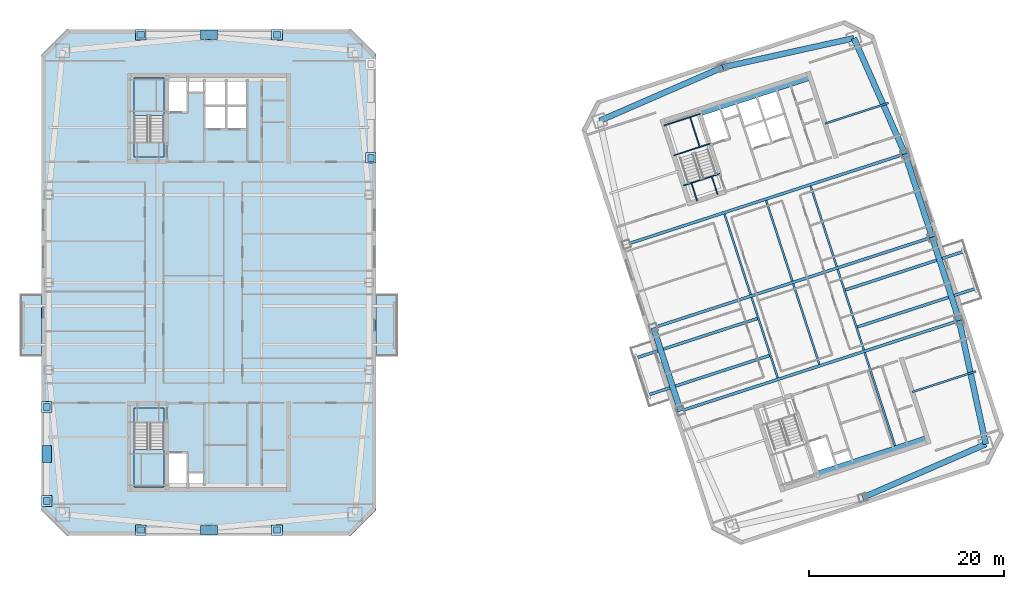
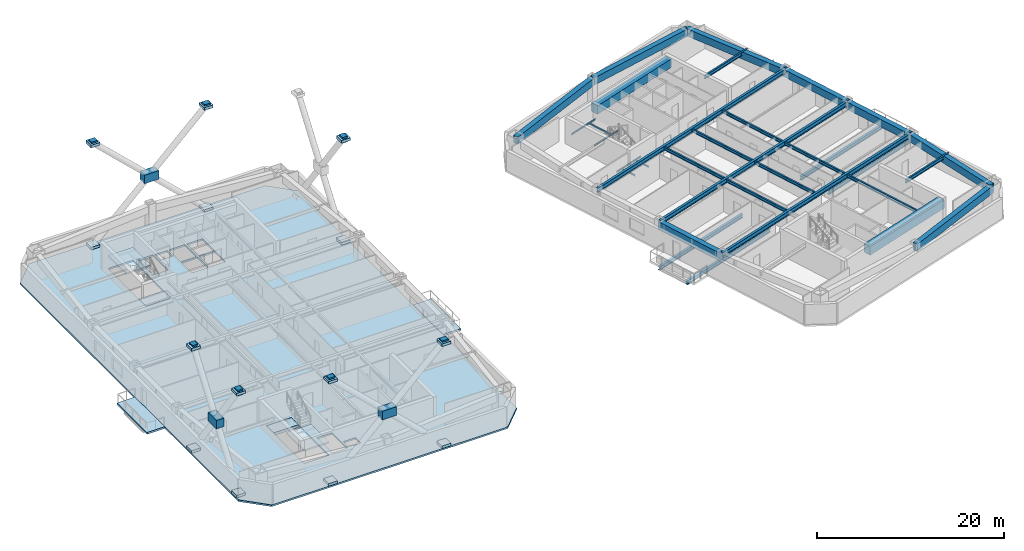
# One storey, part 4 of 16: 33 beams, 24 plates, 7 slabs, 2 elements without a shape of their own.
"""IFC4 building model written with IfcOpenShell, lengths in metres."""

from ifc_helpers import new_model, si_unit, direction, frame, origin, origin_2d, place, context, subcontext, project, spatial, polyline, rectangle, i_section, outline, extrude, material, layer, layer_set, material_profile, profile_set, type_object, element, aggregate, save


model = new_model("IFC4")

# Units and contexts
model_context = context("Model", 3, precision=1e-05, world=origin(), true_north=direction((0.0, 1.0)))
body_context = subcontext(model_context, "Body", "Model", "MODEL_VIEW")
ifc_project = project(units=[si_unit("LENGTHUNIT", "METRE"), si_unit("AREAUNIT", "SQUARE_METRE"), si_unit("VOLUMEUNIT", "CUBIC_METRE"), si_unit("PLANEANGLEUNIT", "RADIAN"), si_unit("MASSUNIT", "GRAM", prefix="KILO")], contexts=[model_context])

# Site, building, storey
site_placement = place(None, origin())
site = spatial("IfcSite", under=ifc_project, at=site_placement, CompositionType="ELEMENT")
building_placement = place(site_placement, origin())
building = spatial("IfcBuilding", under=site, at=building_placement, Name="Qiaolan Cultural Towers", CompositionType="ELEMENT")
storey_placement = place(building_placement, frame((0.0, 0.0, 188.60009765625)))
storey = spatial("IfcBuildingStorey", under=building, at=storey_placement, Name="L50", CompositionType="ELEMENT", Elevation=188.60009765625)

# Beams
ifc_material_1 = material(Name="Steel Q355B", Category="steel")
ifc_material_profile_1 = material_profile(ifc_material_1, i_section(OverallWidth=0.300048828125, OverallDepth=0.488037109375, WebThickness=0.010986328125, FlangeThickness=0.01806640625, at=origin_2d()), Name="HM488x300x11x18")
ifc_profile_set_1 = profile_set([ifc_material_profile_1], Name="Steel Q355B")
beam_type_1 = type_object("IfcBeamType", Name="BM-HM488x300x11x18", PredefinedType="BEAM", material=ifc_profile_set_1)
for number, where, z_axis, x_axis, name in (
    (1, (87.697998046875, 26.522705078125, -0.524169921875), (-0.951053553769, -0.309026111943, 0.0), (0.309026111943, -0.951053553769, 0.0), "L50 T2 Tree Balcony Back-Spanned Bracket Beam"),
    (2, (86.4619140625, 30.326904296875, -0.524169921875), (-0.951053553769, -0.309026111943, 0.0), (0.309026111943, -0.951053553769, 0.0), "L50 T2 Tree Balcony Back-Spanned Bracket Beam"),
):
    element("IfcBeam", number, at=place(storey_placement, frame(where, z_axis=z_axis, x_axis=x_axis)), inside=storey, type_object=beam_type_1, Name=name, PredefinedType="BEAM", context=body_context, shape_type="SweptSolid", body=[
        extrude(i_section(OverallWidth=0.300048828125, OverallDepth=0.488037109375, WebThickness=0.010986328125, FlangeThickness=0.01806640625, at=origin_2d()), origin(), (0.0, 0.0, 1.0), 13.349853515625),
    ])
for number, where, z_axis, x_axis, name in (
    (3, (96.542724609375, 29.396484375, -0.524169921875), (0.951056200688, 0.309017965713, 0.0), (-0.309017965713, 0.951056200688, 0.0), "L50 T2 Tree Balcony Back-Spanned Bracket Beam"),
    (4, (95.306640625, 33.20068359375, -0.524169921875), (0.951056200688, 0.309017965713, 0.0), (-0.309017965713, 0.951056200688, 0.0), "L50 T2 Tree Balcony Back-Spanned Bracket Beam"),
):
    element("IfcBeam", number, at=place(storey_placement, frame(where, z_axis=z_axis, x_axis=x_axis)), inside=storey, type_object=beam_type_1, Name=name, PredefinedType="BEAM", context=body_context, shape_type="SweptSolid", body=[
        extrude(i_section(OverallWidth=0.300048828125, OverallDepth=0.488037109375, WebThickness=0.010986328125, FlangeThickness=0.01806640625, at=origin_2d()), origin(), (0.0, 0.0, 1.0), 13.050048828125),
    ])
ifc_material_2 = material(Name="Steel Q355B", Category="steel")
ifc_material_profile_2 = material_profile(ifc_material_2, i_section(OverallWidth=0.300048828125, OverallDepth=0.587890625, WebThickness=0.011962890625, FlangeThickness=0.02001953125, at=origin_2d()), Name="HM588x300x12x20")
ifc_profile_set_2 = profile_set([ifc_material_profile_2], Name="Steel Q355B")
beam_type_2 = type_object("IfcBeamType", Name="BM-HM588x300x12x20", PredefinedType="BEAM", material=ifc_profile_set_2)
beam_1_placement = place(storey_placement, frame((78.4677734375, 20.789794921875, 2.89599609375), z_axis=(0.951055226628, 0.309020963535, 0.0), x_axis=(-0.309020963535, 0.951055226628, 0.0)))
element("IfcBeam", 5, at=beam_1_placement, inside=storey, type_object=beam_type_2, Name="L50 T2 Primary Transverse Girder V1", PredefinedType="BEAM", context=body_context, shape_type="SweptSolid", body=[
    extrude(i_section(OverallWidth=0.300048828125, OverallDepth=0.587890625, WebThickness=0.011962890625, FlangeThickness=0.02001953125, at=origin_2d()), origin(), (0.0, 0.0, 1.0), 30.099853515625),
])
beam_2_placement = place(storey_placement, frame((75.6865234375, 29.349365234375, 2.89599609375), z_axis=(0.951058384903, 0.309011243331, 0.0), x_axis=(-0.309011243331, 0.951058384903, 0.0)))
element("IfcBeam", 6, at=beam_2_placement, inside=storey, type_object=beam_type_2, Name="L50 T2 Primary Transverse Girder V2", PredefinedType="BEAM", context=body_context, shape_type="SweptSolid", body=[
    extrude(i_section(OverallWidth=0.300048828125, OverallDepth=0.587890625, WebThickness=0.011962890625, FlangeThickness=0.02001953125, at=origin_2d()), origin(), (0.0, 0.0, 1.0), 30.10009765625),
])
beam_3_placement = place(storey_placement, frame((72.905517578125, 37.90869140625, 2.89599609375), z_axis=(0.951055226628, 0.309020963535, 0.0), x_axis=(-0.309020963535, 0.951055226628, 0.0)))
element("IfcBeam", 7, at=beam_3_placement, inside=storey, type_object=beam_type_2, Name="L50 T2 Primary Transverse Girder V3", PredefinedType="BEAM", context=body_context, shape_type="SweptSolid", body=[
    extrude(i_section(OverallWidth=0.300048828125, OverallDepth=0.587890625, WebThickness=0.011962890625, FlangeThickness=0.02001953125, at=origin_2d()), origin(), (0.0, 0.0, 1.0), 30.099853515625),
])
ifc_material_3 = material(Name="Steel Q355B", Category="steel")
ifc_material_profile_3 = material_profile(ifc_material_3, i_section(OverallWidth=0.175048828125, OverallDepth=0.35009765625, WebThickness=0.007080078125, FlangeThickness=0.010986328125, at=origin_2d()), Name="HN350x175x7x11")
ifc_profile_set_3 = profile_set([ifc_material_profile_3], Name="Steel Q355B")
beam_type_3 = type_object("IfcBeamType", Name="BM-JST-HN350x175x7x11", PredefinedType="JOIST", material=ifc_profile_set_3)
beam_4_placement = place(storey_placement, frame((108.9541015625, 33.42919921875, -0.524169921875), z_axis=(-0.309022586479, 0.951054699292, 0.0), x_axis=(-0.951054699292, -0.309022586479, 0.0)))
element("IfcBeam", 8, at=beam_4_placement, inside=storey, type_object=beam_type_3, Name="L50 T2 Tree Balcony Outer Edge Beam", PredefinedType="JOIST", context=body_context, shape_type="SweptSolid", body=[
    extrude(i_section(OverallWidth=0.175048828125, OverallDepth=0.35009765625, WebThickness=0.007080078125, FlangeThickness=0.010986328125, at=origin_2d()), origin(), (0.0, 0.0, 1.0), 4.0),
])
ifc_material_4 = material(Name="Steel Q355B", Category="steel")
ifc_material_profile_4 = material_profile(ifc_material_4, i_section(OverallWidth=0.199951171875, OverallDepth=0.39990234375, WebThickness=0.008056640625, FlangeThickness=0.012939453125, at=origin_2d()), Name="HN400x200x8x13")
ifc_profile_set_4 = profile_set([ifc_material_profile_4], Name="Steel Q355B")
beam_type_4 = type_object("IfcBeamType", Name="BM-JST-HN400x200x8x13", PredefinedType="JOIST", material=ifc_profile_set_4)
for number, where, z_axis, x_axis, name in (
    (9, (88.455078125, 24.192626953125, 2.989990234375), (-0.309020714809, 0.951055307445, 0.0), (-0.951055307445, -0.309020714809, 0.0), "L50 T2 Secondary Floor Joist U1-2"),
    (10, (85.673828125, 32.752197265625, 2.989990234375), (-0.309020714809, 0.951055307445, 0.0), (-0.951055307445, -0.309020714809, 0.0), "L50 T2 Secondary Floor Joist U1-3"),
    (11, (92.73486328125, 25.583251953125, 2.989990234375), (-0.309020714809, 0.951055307445, 0.0), (-0.951055307445, -0.309020714809, 0.0), "L50 T2 Secondary Floor Joist U2-2"),
    (12, (89.95361328125, 34.142578125, 2.989990234375), (-0.309020714809, 0.951055307445, 0.0), (-0.951055307445, -0.309020714809, 0.0), "L50 T2 Secondary Floor Joist U2-3"),
):
    element("IfcBeam", number, at=place(storey_placement, frame(where, z_axis=z_axis, x_axis=x_axis)), inside=storey, type_object=beam_type_4, Name=name, PredefinedType="JOIST", context=body_context, shape_type="SweptSolid", body=[
        extrude(i_section(OverallWidth=0.199951171875, OverallDepth=0.39990234375, WebThickness=0.008056640625, FlangeThickness=0.012939453125, at=origin_2d()), origin(), (0.0, 0.0, 1.0), 8.699951171875),
    ])
beam_5_placement = place(storey_placement, frame((100.498291015625, 17.222900390625, 2.989990234375), z_axis=(-0.309025649293, 0.951053704098, 0.0), x_axis=(-0.951053704098, -0.309025649293, 0.0)))
element("IfcBeam", 13, at=beam_5_placement, inside=storey, type_object=beam_type_4, Name="L50 T2 Secondary Floor Joist U3-1", PredefinedType="JOIST", context=body_context, shape_type="SweptSolid", body=[
    extrude(i_section(OverallWidth=0.199951171875, OverallDepth=0.39990234375, WebThickness=0.008056640625, FlangeThickness=0.012939453125, at=origin_2d()), origin(), (0.0, 0.0, 1.0), 10.050048828125),
])
for number, where, z_axis, x_axis, name in (
    (14, (97.2998046875, 27.06640625, 2.989990234375), (-0.309020714809, 0.951055307445, 0.0), (-0.951055307445, -0.309020714809, 0.0), "L50 T2 Secondary Floor Joist U3-2"),
    (15, (94.518798828125, 35.6259765625, 2.989990234375), (-0.309020714809, 0.951055307445, 0.0), (-0.951055307445, -0.309020714809, 0.0), "L50 T2 Secondary Floor Joist U3-3"),
):
    element("IfcBeam", number, at=place(storey_placement, frame(where, z_axis=z_axis, x_axis=x_axis)), inside=storey, type_object=beam_type_4, Name=name, PredefinedType="JOIST", context=body_context, shape_type="SweptSolid", body=[
        extrude(i_section(OverallWidth=0.199951171875, OverallDepth=0.39990234375, WebThickness=0.008056640625, FlangeThickness=0.012939453125, at=origin_2d()), origin(), (0.0, 0.0, 1.0), 8.699951171875),
    ])
ifc_material_5 = material(Name="Steel Q355B", Category="steel")
ifc_material_profile_5 = material_profile(ifc_material_5, i_section(OverallWidth=0.199951171875, OverallDepth=0.449951171875, WebThickness=0.009033203125, FlangeThickness=0.013916015625, at=origin_2d()), Name="HN450x200x9x14")
ifc_profile_set_5 = profile_set([ifc_material_profile_5], Name="Steel Q355B")
beam_type_5 = type_object("IfcBeamType", Name="BM-LNT-HN450x200x9x14", PredefinedType="LINTEL", material=ifc_profile_set_5)
for number, where, z_axis, x_axis, name in (
    (16, (102.279296875, 22.74365234375, 2.96484375), (0.951061565824, 0.30900145309, 0.0), (-0.30900145309, 0.951061565824, 0.0), "L50 T2 Core Flank Tie Lintel ES"),
    (17, (93.31787109375, 50.32421875, 2.96484375), (0.951061565824, 0.30900145309, 0.0), (-0.30900145309, 0.951061565824, 0.0), "L50 T2 Core Flank Tie Lintel EN"),
):
    element("IfcBeam", number, at=place(storey_placement, frame(where, z_axis=z_axis, x_axis=x_axis)), inside=storey, type_object=beam_type_5, Name=name, PredefinedType="LINTEL", context=body_context, shape_type="SweptSolid", body=[
        extrude(i_section(OverallWidth=0.199951171875, OverallDepth=0.449951171875, WebThickness=0.009033203125, FlangeThickness=0.013916015625, at=origin_2d()), origin(), (0.0, 0.0, 1.0), 6.85009765625),
    ])
ifc_material_6 = material(Name="Concrete C50", Category="concrete")
ifc_material_profile_6 = material_profile(ifc_material_6, rectangle(XDim=0.89990234375, YDim=1.10009765625, at=origin_2d()), Name="RC900x1100")
ifc_profile_set_6 = profile_set([ifc_material_profile_6], Name="Concrete C50")
beam_type_6 = type_object("IfcBeamType", Name="BM-RC900x1100", PredefinedType="BEAM", material=ifc_profile_set_6)
for number, where, z_axis, x_axis, name in (
    (18, (92.572265625, 14.174560546875, 2.639892578125), (0.951056266386, 0.309017763514, 0.0), (-0.309017763514, 0.951056266386, 0.0), "L50 T2 Core Header Girder S"),
    (19, (80.427978515625, 51.551025390625, 2.639892578125), (0.951056266386, 0.309017763514, 0.0), (-0.309017763514, 0.951056266386, 0.0), "L50 T2 Core Header Girder N"),
):
    element("IfcBeam", number, at=place(storey_placement, frame(where, z_axis=z_axis, x_axis=x_axis)), inside=storey, type_object=beam_type_6, Name=name, PredefinedType="BEAM", context=body_context, shape_type="SweptSolid", body=[
        extrude(rectangle(XDim=0.89990234375, YDim=1.10009765625, at=origin_2d()), origin(), (0.0, 0.0, 1.0), 11.880126953125),
    ])
ifc_material_7 = material(Name="Concrete C50", Category="concrete")
ifc_material_profile_7 = material_profile(ifc_material_7, rectangle(XDim=0.60009765625, YDim=0.949951171875, at=origin_2d()), Name="RC600x950")
ifc_profile_set_7 = profile_set([ifc_material_profile_7], Name="Concrete C50")
beam_type_7 = type_object("IfcBeamType", Name="BM-SPD-RC600x950", PredefinedType="SPANDREL", material=ifc_profile_set_7)
beam_6_placement = place(storey_placement, frame((97.1845703125, 11.887939453125, 2.71484375), z_axis=(0.917117043091, 0.398618024268, 0.0), x_axis=(-0.398618024268, 0.917117043091, 0.0)))
element("IfcBeam", 20, at=beam_6_placement, inside=storey, type_object=beam_type_7, Name="L50 T2 Perimeter Spandrel Beam 2", PredefinedType="SPANDREL", context=body_context, shape_type="SweptSolid", body=[
    extrude(rectangle(XDim=0.60009765625, YDim=0.949951171875, at=origin_2d()), origin(), (0.0, 0.0, 1.0), 13.79345703125),
])
beam_7_placement = place(storey_placement, frame((109.834716796875, 17.38623046875, 2.71484375), z_axis=(-0.210832241173, 0.977522258612, 0.0), x_axis=(-0.977522258612, -0.210832241173, 0.0)))
element("IfcBeam", 21, at=beam_7_placement, inside=storey, type_object=beam_type_7, Name="L50 T2 Perimeter Spandrel Beam 3", PredefinedType="SPANDREL", context=body_context, shape_type="SweptSolid", body=[
    extrude(rectangle(XDim=0.60009765625, YDim=0.949951171875, at=origin_2d()), origin(), (0.0, 0.0, 1.0), 12.997314453125),
])
beam_8_placement = place(storey_placement, frame((107.094482421875, 30.09130859375, 2.71484375), z_axis=(-0.309008170129, 0.951059383421, 0.0), x_axis=(-0.951059383421, -0.309008170129, 0.0)))
element("IfcBeam", 22, at=beam_8_placement, inside=storey, type_object=beam_type_7, Name="L50 T2 Perimeter Spandrel Beam 4", PredefinedType="SPANDREL", context=body_context, shape_type="SweptSolid", body=[
    extrude(rectangle(XDim=0.60009765625, YDim=0.949951171875, at=origin_2d()), origin(), (0.0, 0.0, 1.0), 8.999755859375),
])
beam_9_placement = place(storey_placement, frame((104.3134765625, 38.650634765625, 2.71484375), z_axis=(-0.309024734286, 0.951054001411, 0.0), x_axis=(-0.951054001411, -0.309024734286, 0.0)))
element("IfcBeam", 23, at=beam_9_placement, inside=storey, type_object=beam_type_7, Name="L50 T2 Perimeter Spandrel Beam 5", PredefinedType="SPANDREL", context=body_context, shape_type="SweptSolid", body=[
    extrude(rectangle(XDim=0.60009765625, YDim=0.949951171875, at=origin_2d()), origin(), (0.0, 0.0, 1.0), 9.0),
])
beam_10_placement = place(storey_placement, frame((101.5322265625, 47.210205078125, 2.71484375), z_axis=(-0.404011070002, 0.914754095545, 0.0), x_axis=(-0.914754095545, -0.404011070002, 0.0)))
element("IfcBeam", 24, at=beam_10_placement, inside=storey, type_object=beam_type_7, Name="L50 T2 Perimeter Spandrel Beam 6", PredefinedType="SPANDREL", context=body_context, shape_type="SweptSolid", body=[
    extrude(rectangle(XDim=0.60009765625, YDim=0.949951171875, at=origin_2d()), origin(), (0.0, 0.0, 1.0), 12.9970703125),
])
beam_11_placement = place(storey_placement, frame((96.28125, 59.099365234375, 2.71484375), z_axis=(-0.976265293399, -0.216578108094, 0.0), x_axis=(0.216578108094, -0.976265293399, 0.0)))
element("IfcBeam", 25, at=beam_11_placement, inside=storey, type_object=beam_type_7, Name="L50 T2 Perimeter Spandrel Beam 7", PredefinedType="SPANDREL", context=body_context, shape_type="SweptSolid", body=[
    extrude(rectangle(XDim=0.60009765625, YDim=0.949951171875, at=origin_2d()), origin(), (0.0, 0.0, 1.0), 13.793212890625),
])
beam_12_placement = place(storey_placement, frame((82.8154296875, 56.112060546875, 2.71484375), z_axis=(-0.917117043091, -0.398618024268, 0.0), x_axis=(0.398618024268, -0.917117043091, 0.0)))
element("IfcBeam", 26, at=beam_12_placement, inside=storey, type_object=beam_type_7, Name="L50 T2 Perimeter Spandrel Beam 8", PredefinedType="SPANDREL", context=body_context, shape_type="SweptSolid", body=[
    extrude(rectangle(XDim=0.60009765625, YDim=0.949951171875, at=origin_2d()), origin(), (0.0, 0.0, 1.0), 13.79345703125),
])
beam_13_placement = place(storey_placement, frame((75.6865234375, 29.349365234375, 2.71484375), z_axis=(0.309024734286, -0.951054001411, 0.0), x_axis=(0.951054001411, 0.309024734286, 0.0)))
element("IfcBeam", 27, at=beam_13_placement, inside=storey, type_object=beam_type_7, Name="L50 T2 Perimeter Spandrel Beam 11", PredefinedType="SPANDREL", context=body_context, shape_type="SweptSolid", body=[
    extrude(rectangle(XDim=0.60009765625, YDim=0.949951171875, at=origin_2d()), origin(), (0.0, 0.0, 1.0), 9.0),
])
ifc_material_8 = material(Name="Steel Q355B", Category="steel")
ifc_material_profile_8 = material_profile(ifc_material_8, i_section(OverallWidth=0.10009765625, OverallDepth=0.199951171875, WebThickness=0.005615234375, FlangeThickness=0.008056640625, at=origin_2d()), Name="HN200x100x5.5x8")
ifc_profile_set_8 = profile_set([ifc_material_profile_8], Name="Steel Q355B")
beam_type_8 = type_object("IfcBeamType", Name="BM-STTRIM-200", PredefinedType="BEAM", material=ifc_profile_set_8)
beam_14_placement = place(storey_placement, frame((78.773193359375, 43.958251953125, -0.460205078125), z_axis=(0.951072048947, 0.3089691857, 0.0), x_axis=(-0.3089691857, 0.951072048947, 0.0)))
element("IfcBeam", 28, at=beam_14_placement, inside=storey, type_object=beam_type_8, Name="L50 ST-E2 Floor Landing Header Beam", PredefinedType="BEAM", context=body_context, shape_type="SweptSolid", body=[
    extrude(i_section(OverallWidth=0.10009765625, OverallDepth=0.199951171875, WebThickness=0.005615234375, FlangeThickness=0.008056640625, at=origin_2d()), origin(), (0.0, 0.0, 1.0), 3.920166015625),
])
for number, where, z_axis, x_axis, name in (
    (29, (80.18115234375, 42.375732421875, -0.460205078125), (-0.308969394428, 0.951071981138, 0.0), (-0.951071981138, -0.308969394428, 0.0), "L50 ST-E2 Floor Landing Stringer 1"),
    (30, (82.2734375, 43.0556640625, -0.460205078125), (-0.308969394428, 0.951071981138, 0.0), (-0.951071981138, -0.308969394428, 0.0), "L50 ST-E2 Floor Landing Stringer 2"),
):
    element("IfcBeam", number, at=place(storey_placement, frame(where, z_axis=z_axis, x_axis=x_axis)), inside=storey, type_object=beam_type_8, Name=name, PredefinedType="BEAM", context=body_context, shape_type="SweptSolid", body=[
        extrude(i_section(OverallWidth=0.10009765625, OverallDepth=0.199951171875, WebThickness=0.005615234375, FlangeThickness=0.008056640625, at=origin_2d()), origin(), (0.0, 0.0, 1.0), 1.93994140625),
    ])
for number, where, z_axis, x_axis, name in (
    (31, (77.769287109375, 47.0478515625, 1.4248046875), (0.951053746643, 0.309025518358, 0.0), (-0.309025518358, 0.951053746643, 0.0), "L50 ST-E2 Stair Landing Support Beam 1-1"),
    (32, (76.770751953125, 50.12109375, 1.4248046875), (0.951072048947, 0.3089691857, 0.0), (-0.3089691857, 0.951072048947, 0.0), "L50 ST-E2 Stair Landing Support Beam 1-2"),
):
    element("IfcBeam", number, at=place(storey_placement, frame(where, z_axis=z_axis, x_axis=x_axis)), inside=storey, type_object=beam_type_8, Name=name, PredefinedType="BEAM", context=body_context, shape_type="SweptSolid", body=[
        extrude(i_section(OverallWidth=0.10009765625, OverallDepth=0.199951171875, WebThickness=0.005615234375, FlangeThickness=0.008056640625, at=origin_2d()), origin(), (0.0, 0.0, 1.0), 3.920166015625),
    ])
beam_15_placement = place(storey_placement, frame((80.44189453125, 47.916259765625, 1.4248046875), z_axis=(-0.309033108495, 0.951051280349, 0.0), x_axis=(-0.951051280349, -0.309033108495, 0.0)))
element("IfcBeam", 33, at=beam_15_placement, inside=storey, type_object=beam_type_8, Name="L50 ST-E2 Stair Landing Trimmer 1", PredefinedType="BEAM", context=body_context, shape_type="SweptSolid", body=[
    extrude(i_section(OverallWidth=0.10009765625, OverallDepth=0.199951171875, WebThickness=0.005615234375, FlangeThickness=0.008056640625, at=origin_2d()), origin(), (0.0, 0.0, 1.0), 3.231201171875),
])

# Plates
ifc_material_9 = material(Name="Steel Q355B", Category="steel")
ifc_layer_1 = layer(ifc_material_9, 0.035888671875)
ifc_layer_set_1 = layer_set([ifc_layer_1], Name="Steel Q355B")
plate_type_1 = type_object("IfcPlateType", Name="PL-CONN-36", PredefinedType="USERDEFINED", material=ifc_layer_set_1)
for number, where, z_axis, x_axis, name in (
    (34, (13.35009765625, 21.199951171875, 13.1298828125), (0.0, 0.0, 1.0), (0.0, 1.0, 0.0), "L50 Brace End Connection Gusset Plate GP-02-0340"),
    (35, (13.35009765625, 11.550048828125, 13.1298828125), (0.0, 0.0, 1.0), (0.0, 1.0, 0.0), "L50 Brace End Connection Gusset Plate GP-02-0341"),
    (36, (46.64990234375, 46.800048828125, 13.1298828125), (0.0, 0.0, 1.0), (0.0, 1.0, 0.0), "L50 Brace End Connection Gusset Plate GP-02-0343"),
    (37, (37.0, 8.550048828125, 13.1298828125), (0.0, 0.0, 1.0), (1.0, 0.0, 0.0), "L50 Brace End Connection Gusset Plate GP-02-0344"),
    (38, (23.0, 8.550048828125, 13.1298828125), (0.0, 0.0, 1.0), (1.0, 0.0, 0.0), "L50 Brace End Connection Gusset Plate GP-02-0345"),
    (39, (37.0, 59.449951171875, 13.1298828125), (0.0, 0.0, 1.0), (1.0, 0.0, 0.0), "L50 Brace End Connection Gusset Plate GP-02-0346"),
    (40, (23.0, 59.449951171875, 13.1298828125), (0.0, 0.0, 1.0), (1.0, 0.0, 0.0), "L50 Brace End Connection Gusset Plate GP-02-0347"),
):
    element("IfcPlate", number, at=place(storey_placement, frame(where, z_axis=z_axis, x_axis=x_axis)), inside=storey, type_object=plate_type_1, Name=name, ObjectType="GUSSET_PLATE", PredefinedType="USERDEFINED", context=body_context, shape_type="SweptSolid", body=[
        extrude(rectangle(XDim=0.739990234375, YDim=0.6201171875, at=origin_2d()), origin(), (0.0, 0.0, 1.0), 0.739990234375),
    ])
ifc_material_10 = material(Name="Steel Q355B", Category="steel")
ifc_layer_2 = layer(ifc_material_10, 0.030029296875)
ifc_layer_set_2 = layer_set([ifc_layer_2], Name="Steel Q355B")
plate_type_2 = type_object("IfcPlateType", Name="PL-ENDCAP-30", PredefinedType="USERDEFINED", material=ifc_layer_set_2)
for number, where, z_axis, x_axis, name in (
    (41, (13.35009765625, 11.550048828125, -0.025146484375), (0.0, 0.0, 1.0), (0.0, 1.0, 0.0), "Hollow Brace End Seal Cap Plate CP-01"),
    (42, (13.35009765625, 21.199951171875, -0.025146484375), (0.0, 0.0, 1.0), (0.0, 1.0, 0.0), "Hollow Brace End Seal Cap Plate CP-01"),
    (43, (13.35009765625, 11.550048828125, 13.324951171875), (0.0, 0.0, 1.0), (0.0, 1.0, 0.0), "Hollow Brace End Seal Cap Plate CP-01"),
    (44, (13.35009765625, 21.199951171875, 13.324951171875), (0.0, 0.0, 1.0), (0.0, 1.0, 0.0), "Hollow Brace End Seal Cap Plate CP-01"),
    (45, (46.64990234375, 46.800048828125, -0.025146484375), (0.0, 0.0, 1.0), (0.0, 1.0, 0.0), "Hollow Brace End Seal Cap Plate CP-01"),
    (46, (46.64990234375, 46.800048828125, 13.324951171875), (0.0, 0.0, 1.0), (0.0, 1.0, 0.0), "Hollow Brace End Seal Cap Plate CP-01"),
    (47, (23.0, 8.550048828125, -0.025146484375), (0.0, 0.0, 1.0), (1.0, 0.0, 0.0), "Hollow Brace End Seal Cap Plate CP-01"),
    (48, (37.0, 8.550048828125, -0.025146484375), (0.0, 0.0, 1.0), (1.0, 0.0, 0.0), "Hollow Brace End Seal Cap Plate CP-01"),
    (49, (23.0, 8.550048828125, 13.324951171875), (0.0, 0.0, 1.0), (1.0, 0.0, 0.0), "Hollow Brace End Seal Cap Plate CP-01"),
    (50, (37.0, 8.550048828125, 13.324951171875), (0.0, 0.0, 1.0), (1.0, 0.0, 0.0), "Hollow Brace End Seal Cap Plate CP-01"),
    (51, (23.0, 59.449951171875, -0.025146484375), (0.0, 0.0, 1.0), (1.0, 0.0, 0.0), "Hollow Brace End Seal Cap Plate CP-01"),
    (52, (37.0, 59.449951171875, -0.025146484375), (0.0, 0.0, 1.0), (1.0, 0.0, 0.0), "Hollow Brace End Seal Cap Plate CP-01"),
    (53, (23.0, 59.449951171875, 13.324951171875), (0.0, 0.0, 1.0), (1.0, 0.0, 0.0), "Hollow Brace End Seal Cap Plate CP-01"),
    (54, (37.0, 59.449951171875, 13.324951171875), (0.0, 0.0, 1.0), (1.0, 0.0, 0.0), "Hollow Brace End Seal Cap Plate CP-01"),
):
    element("IfcPlate", number, at=place(storey_placement, frame(where, z_axis=z_axis, x_axis=x_axis)), inside=storey, type_object=plate_type_2, Name=name, ObjectType="BASE_PLATE", PredefinedType="USERDEFINED", context=body_context, shape_type="SweptSolid", body=[
        extrude(rectangle(XDim=1.10009765625, YDim=1.10009765625, at=origin_2d()), origin(), (0.0, 0.0, 1.0), 0.35009765625),
    ])
ifc_material_11 = material(Name="Steel Q390GJB", Category="steel")
ifc_layer_3 = layer(ifc_material_11, 0.0419921875)
ifc_layer_set_3 = layer_set([ifc_layer_3], Name="Steel Q390GJB")
plate_type_3 = type_object("IfcPlateType", Name="PL-NODE-ND01", PredefinedType="USERDEFINED", material=ifc_layer_set_3)
plate_1_placement = place(storey_placement, frame((30.0, 59.449951171875, 6.27490234375), z_axis=(0.0, 0.0, 1.0), x_axis=(1.0, 0.0, 0.0)))
element("IfcPlate", 55, at=plate_1_placement, inside=storey, type_object=plate_type_3, Name="Perimeter Frame Gusset Node Assembly ND-01", ObjectType="GUSSET_PLATE", PredefinedType="USERDEFINED", context=body_context, shape_type="SweptSolid", body=[
    extrude(rectangle(XDim=1.760009765625, YDim=0.9599609375, at=origin_2d()), origin(), (0.0, 0.0, 1.0), 1.10009765625),
])
ifc_material_12 = material(Name="Steel Q390GJB", Category="steel")
ifc_layer_4 = layer(ifc_material_12, 0.0439453125)
ifc_layer_set_4 = layer_set([ifc_layer_4], Name="Steel Q390GJB")
plate_type_4 = type_object("IfcPlateType", Name="PL-NODE-ND10", PredefinedType="USERDEFINED", material=ifc_layer_set_4)
plate_2_placement = place(storey_placement, frame((13.35009765625, 16.375, 6.27490234375), z_axis=(0.0, 0.0, 1.0), x_axis=(0.0, 1.0, 0.0)))
element("IfcPlate", 56, at=plate_2_placement, inside=storey, type_object=plate_type_4, Name="Perimeter Frame Gusset Node Assembly ND-10", ObjectType="GUSSET_PLATE", PredefinedType="USERDEFINED", context=body_context, shape_type="SweptSolid", body=[
    extrude(rectangle(XDim=1.760009765625, YDim=0.9599609375, at=origin_2d()), origin(), (0.0, 0.0, 1.0), 1.10009765625),
])
ifc_material_13 = material(Name="Steel Q390GJB", Category="steel")
ifc_layer_5 = layer(ifc_material_13, 0.0400390625)
ifc_layer_set_5 = layer_set([ifc_layer_5], Name="Steel Q390GJB")
plate_type_5 = type_object("IfcPlateType", Name="PL-NODE-ND12", PredefinedType="USERDEFINED", material=ifc_layer_set_5)
plate_3_placement = place(storey_placement, frame((30.0, 8.550048828125, 6.27490234375), z_axis=(0.0, 0.0, 1.0), x_axis=(1.0, 0.0, 0.0)))
element("IfcPlate", 57, at=plate_3_placement, inside=storey, type_object=plate_type_5, Name="Perimeter Frame Gusset Node Assembly ND-12", ObjectType="GUSSET_PLATE", PredefinedType="USERDEFINED", context=body_context, shape_type="SweptSolid", body=[
    extrude(rectangle(XDim=1.760009765625, YDim=0.9599609375, at=origin_2d()), origin(), (0.0, 0.0, 1.0), 1.10009765625),
])

# Slabs
ifc_material_14 = material(Name="Concrete C45", Category="concrete")
ifc_layer_6 = layer(ifc_material_14, 0.239990234375)
ifc_layer_set_6 = layer_set([ifc_layer_6], Name="Concrete C45")
slab_type_1 = type_object("IfcSlabType", Name="SL-BAL-240", PredefinedType="FLOOR", material=ifc_layer_set_6)
slab_1_placement = place(storey_placement, frame((0.0, 0.0, -0.239990234375)))
element("IfcSlab", 58, at=slab_1_placement, inside=storey, type_object=slab_type_1, Name="L50 T1 Planted Tree Balcony W", PredefinedType="FLOOR", context=body_context, shape_type="SweptSolid", body=[
    extrude(outline(polyline([(10.60009765625, 26.39990234375), (12.800048828125, 26.39990234375), (12.800048828125, 32.800048828125), (10.60009765625, 32.800048828125), (10.60009765625, 26.39990234375)])), origin(), (0.0, 0.0, 1.0), 0.239990234375),
])
slab_2_placement = place(storey_placement, frame((0.0, 0.0, -0.239990234375)))
element("IfcSlab", 59, at=slab_2_placement, inside=storey, type_object=slab_type_1, Name="L50 T1 Planted Tree Balcony E", PredefinedType="FLOOR", context=body_context, shape_type="SweptSolid", body=[
    extrude(outline(polyline([(47.199951171875, 26.39990234375), (49.39990234375, 26.39990234375), (49.39990234375, 32.800048828125), (47.199951171875, 32.800048828125), (47.199951171875, 26.39990234375)])), origin(), (0.0, 0.0, 1.0), 0.239990234375),
])

# Stair, slab
ifc_material_15 = material(Name="Concrete C45", Category="concrete")
stair_type = type_object("IfcStairType", Name="STR-CORE-1500", PredefinedType="HALF_TURN_STAIR", material=ifc_material_15)
stair_1_placement = place(storey_placement, origin())
stair_1 = element("IfcStair", 60, at=stair_1_placement, inside=storey, type_object=stair_type, Name="L50 Smokeproof Exit Stair ST-W1", PredefinedType="HALF_TURN_STAIR")
ifc_material_16 = material(Name="Concrete C45", Category="concrete")
ifc_layer_7 = layer(ifc_material_16, 0.199951171875)
ifc_layer_set_7 = layer_set([ifc_layer_7], Name="Concrete C45")
slab_type_2 = type_object("IfcSlabType", Name="SL-STAIR-LAND", PredefinedType="LANDING", material=ifc_layer_set_7)
slab_3_placement = place(storey_placement, frame((0.0, 0.0, 1.52490234375)))
slab_3 = element("IfcSlab", 61, at=slab_3_placement, type_object=slab_type_2, Name="ST-W1 landing 1", PredefinedType="LANDING", context=body_context, shape_type="SweptSolid", body=[
    extrude(outline(polyline([(22.300048828125, 16.851318359375), (22.300048828125, 13.0), (25.3798828125, 13.0), (25.3798828125, 16.851318359375), (22.300048828125, 16.851318359375)])), origin(), (0.0, 0.0, 1.0), 0.199951171875),
])
aggregate(stair_1, [slab_3])

stair_2_placement = place(storey_placement, origin())
stair_2 = element("IfcStair", 62, at=stair_2_placement, inside=storey, type_object=stair_type, Name="L50 Smokeproof Exit Stair ST-W2", PredefinedType="HALF_TURN_STAIR")
slab_4_placement = place(storey_placement, frame((0.0, 0.0, 1.52490234375)))
slab_4 = element("IfcSlab", 63, at=slab_4_placement, type_object=slab_type_2, Name="ST-W2 landing 1", PredefinedType="LANDING", context=body_context, shape_type="SweptSolid", body=[
    extrude(outline(polyline([(25.3798828125, 51.148681640625), (25.3798828125, 55.0), (22.300048828125, 55.0), (22.300048828125, 51.148681640625), (25.3798828125, 51.148681640625)])), origin(), (0.0, 0.0, 1.0), 0.199951171875),
])
aggregate(stair_2, [slab_4])

# Slabs
ifc_material_17 = material(Name="Concrete C40", Category="concrete")
ifc_layer_8 = layer(ifc_material_17, 0.360107421875)
ifc_layer_set_8 = layer_set([ifc_layer_8], Name="Concrete C40")
slab_type_3 = type_object("IfcSlabType", Name="SL-STFLR-360", PredefinedType="LANDING", material=ifc_layer_set_8)
slab_5_placement = place(storey_placement, frame((0.0, 0.0, -0.360107421875)))
element("IfcSlab", 64, at=slab_5_placement, inside=storey, type_object=slab_type_3, Name="L50 ST-W1 Stair Floor Landing Slab", PredefinedType="LANDING", context=body_context, shape_type="SweptSolid", body=[
    extrude(outline(polyline([(22.302001953125, 21.097900390625), (22.302001953125, 19.548583984375), (25.3779296875, 19.548583984375), (25.3779296875, 21.097900390625), (22.302001953125, 21.097900390625)])), origin(), (0.0, 0.0, 1.0), 0.360107421875),
])
slab_6_placement = place(storey_placement, frame((0.0, 0.0, -0.360107421875)))
element("IfcSlab", 65, at=slab_6_placement, inside=storey, type_object=slab_type_3, Name="L50 ST-W2 Stair Floor Landing Slab", PredefinedType="LANDING", context=body_context, shape_type="SweptSolid", body=[
    extrude(outline(polyline([(25.3779296875, 46.902099609375), (25.3779296875, 48.451416015625), (22.302001953125, 48.451416015625), (22.302001953125, 46.902099609375), (25.3779296875, 46.902099609375)])), origin(), (0.0, 0.0, 1.0), 0.360107421875),
])
ifc_material_18 = material(Name="Concrete C45", Category="concrete")
ifc_layer_9 = layer(ifc_material_18, 0.219970703125)
ifc_layer_set_9 = layer_set([ifc_layer_9], Name="Concrete C45")
slab_type_4 = type_object("IfcSlabType", Name="SL-TYP-220", PredefinedType="FLOOR", material=ifc_layer_set_9)
slab_7_placement = place(storey_placement, frame((0.0, 0.0, -0.22021484375)))
element("IfcSlab", 66, at=slab_7_placement, inside=storey, type_object=slab_type_4, Name="L50 West Tower Floor Slab", PredefinedType="FLOOR", context=body_context, shape_type="SweptSolid", body=[
    extrude(outline(polyline([(15.39990234375, 8.0), (44.60009765625, 8.0), (47.199951171875, 10.60009765625), (47.199951171875, 57.39990234375), (44.60009765625, 60.0), (15.39990234375, 60.0), (12.800048828125, 57.39990234375), (12.800048828125, 10.60009765625), (15.39990234375, 8.0)]), holes=[polyline([(22.300048828125, 21.10009765625), (22.300048828125, 13.0), (25.3798828125, 13.0), (25.3798828125, 21.10009765625), (22.300048828125, 21.10009765625)]), polyline([(25.3798828125, 46.89990234375), (25.3798828125, 55.0), (22.300048828125, 55.0), (22.300048828125, 46.89990234375), (25.3798828125, 46.89990234375)]), polyline([(25.89990234375, 13.199951171875), (27.75, 13.199951171875), (27.75, 16.449951171875), (25.89990234375, 16.449951171875), (25.89990234375, 13.199951171875)]), polyline([(27.93994140625, 13.25), (29.449951171875, 13.25), (29.449951171875, 14.419921875), (27.93994140625, 14.419921875), (27.93994140625, 13.25)]), polyline([(25.89990234375, 51.550048828125), (27.75, 51.550048828125), (27.75, 54.800048828125), (25.89990234375, 54.800048828125), (25.89990234375, 51.550048828125)]), polyline([(27.93994140625, 53.580078125), (29.449951171875, 53.580078125), (29.449951171875, 54.75), (27.93994140625, 54.75), (27.93994140625, 53.580078125)]), polyline([(29.679931640625, 49.820068359375), (31.679931640625, 49.820068359375), (31.679931640625, 52.080078125), (29.679931640625, 52.080078125), (29.679931640625, 49.820068359375)]), polyline([(31.8798828125, 49.820068359375), (33.820068359375, 49.820068359375), (33.820068359375, 52.080078125), (31.8798828125, 52.080078125), (31.8798828125, 49.820068359375)]), polyline([(29.679931640625, 52.27001953125), (31.659912109375, 52.27001953125), (31.659912109375, 54.75), (29.679931640625, 54.75), (29.679931640625, 52.27001953125)]), polyline([(31.8798828125, 52.27001953125), (33.820068359375, 52.27001953125), (33.820068359375, 54.75), (31.8798828125, 54.75), (31.8798828125, 52.27001953125)])]), origin(), (0.0, 0.0, 1.0), 0.22021484375),
])

save(model, "model.ifc")
